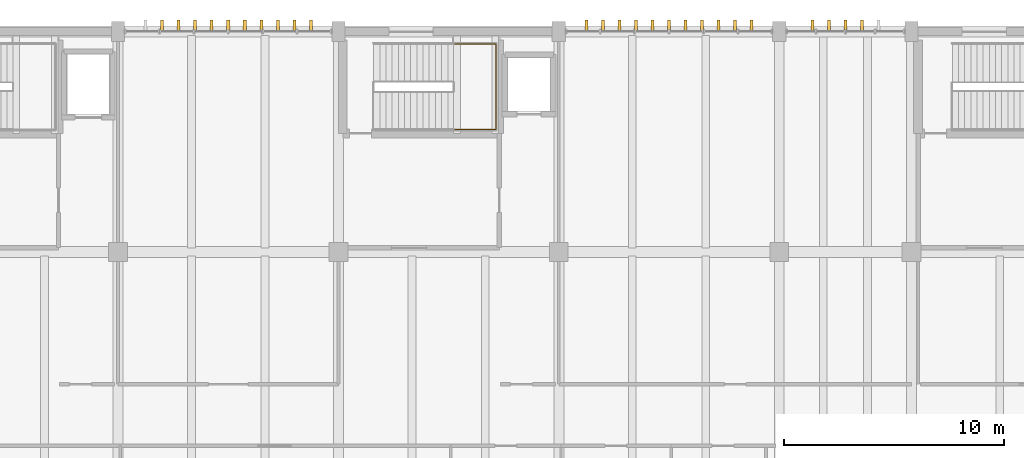
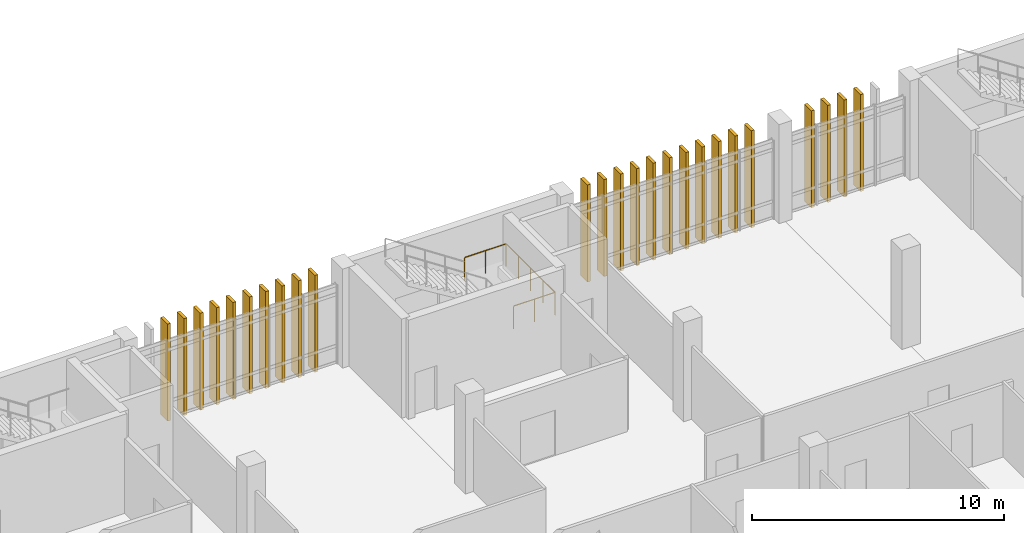
# One storey, part 84 of 87: 25 shading devices, 1 railing.
"""IFC4 building model written with IfcOpenShell, lengths in metres."""

from ifc_helpers import new_model, si_unit, direction, frame, origin, origin_2d, place, context, subcontext, project, spatial, rectangle, circle, extrude, material, type_object, element, save


model = new_model("IFC4")

# Units and contexts
model_context = context("Model", 3, precision=1e-05, world=origin(), true_north=direction((0.0, 1.0)))
body_context = subcontext(model_context, "Body", "Model", "MODEL_VIEW")
ifc_project = project(units=[si_unit("LENGTHUNIT", "METRE"), si_unit("AREAUNIT", "SQUARE_METRE"), si_unit("VOLUMEUNIT", "CUBIC_METRE"), si_unit("PLANEANGLEUNIT", "RADIAN"), si_unit("MASSUNIT", "GRAM", prefix="KILO")], contexts=[model_context])

# Site, building, storey
site_placement = place(None, origin())
site = spatial("IfcSite", under=ifc_project, at=site_placement, CompositionType="ELEMENT")
building_placement = place(site_placement, origin())
building = spatial("IfcBuilding", under=site, at=building_placement, Name="Mersad Railyard Sports Hall", CompositionType="ELEMENT")
storey_placement = place(building_placement, origin())
storey = spatial("IfcBuildingStorey", under=building, at=storey_placement, Name="L00", CompositionType="ELEMENT", Elevation=0.0)

# Railing
ifc_material_1 = material(Name="Steel S355", Category="steel")
railing_type = type_object("IfcRailingType", Name="ARC-RL-GR01", PredefinedType="GUARDRAIL", material=ifc_material_1)
railing_placement = place(storey_placement, frame((116.239990234375, 110.56005859375, 2.39990234375)))
element("IfcRailing", 1, at=railing_placement, inside=storey, type_object=railing_type, Name="Interior guard GR01-0069", PredefinedType="GUARDRAIL", context=body_context, shape_type="SweptSolid", body=[
    extrude(circle(Radius=0.02392578125, at=origin_2d()), frame((0.0, 0.0, 1.09619140625), z_axis=(1.0, 0.0, 0.0), x_axis=(0.0, 1.0, 0.0)), (0.0, 0.0, 1.0), 1.89990234375),
    extrude(circle(Radius=0.02392578125, at=origin_2d()), frame((1.89990234375, 0.0, 1.09619140625), z_axis=(0.0, 1.0, 0.0), x_axis=(-1.0, 0.0, 0.0)), (0.0, 0.0, 1.0), 3.8798828125),
    extrude(circle(Radius=0.02392578125, at=origin_2d()), frame((1.89990234375, 3.8798828125, 1.09619140625), z_axis=(-1.0, 0.0, 0.0), x_axis=(0.0, -1.0, 0.0)), (0.0, 0.0, 1.0), 1.89990234375),
    extrude(circle(Radius=0.02099609375, at=origin_2d()), origin(), (0.0, 0.0, 1.0), 1.072021484375),
    extrude(circle(Radius=0.02099609375, at=origin_2d()), frame((0.949951171875, 0.0, 0.0)), (0.0, 0.0, 1.0), 1.072021484375),
    extrude(circle(Radius=0.02099609375, at=origin_2d()), frame((1.89990234375, 0.0, 0.0)), (0.0, 0.0, 1.0), 1.072021484375),
    extrude(circle(Radius=0.02099609375, at=origin_2d()), frame((1.89990234375, 0.969970703125, 0.0)), (0.0, 0.0, 1.0), 1.072021484375),
    extrude(circle(Radius=0.02099609375, at=origin_2d()), frame((1.89990234375, 1.93994140625, 0.0)), (0.0, 0.0, 1.0), 1.072021484375),
    extrude(circle(Radius=0.02099609375, at=origin_2d()), frame((1.89990234375, 2.909912109375, 0.0)), (0.0, 0.0, 1.0), 1.072021484375),
    extrude(circle(Radius=0.02099609375, at=origin_2d()), frame((1.89990234375, 3.8798828125, 0.0)), (0.0, 0.0, 1.0), 1.072021484375),
    extrude(circle(Radius=0.02099609375, at=origin_2d()), frame((0.949951171875, 3.8798828125, 0.0)), (0.0, 0.0, 1.0), 1.072021484375),
    extrude(circle(Radius=0.02099609375, at=origin_2d()), frame((0.0, 3.8798828125, 0.0)), (0.0, 0.0, 1.0), 1.072021484375),
])

# Shading devices
ifc_material_2 = material(Name="Precast concrete C45/55", Category="concrete")
shading_device_type = type_object("IfcShadingDeviceType", Name="ARC-SH-FN01", PredefinedType="USERDEFINED", material=ifc_material_2)
for number, where, z_axis, x_axis, name in (
    (2, (103.0, 115.25, -0.10009765625), (0.0, 0.0, 1.0), (1.0, 0.0, 0.0), "Precast sun fin FN01-0028"),
    (3, (103.75, 115.25, -0.10009765625), (0.0, 0.0, 1.0), (1.0, 0.0, 0.0), "Precast sun fin FN01-0029"),
    (4, (104.5, 115.25, -0.10009765625), (0.0, 0.0, 1.0), (1.0, 0.0, 0.0), "Precast sun fin FN01-0030"),
    (5, (105.25, 115.25, -0.10009765625), (0.0, 0.0, 1.0), (1.0, 0.0, 0.0), "Precast sun fin FN01-0031"),
    (6, (106.0, 115.25, -0.10009765625), (0.0, 0.0, 1.0), (1.0, 0.0, 0.0), "Precast sun fin FN01-0032"),
    (7, (106.75, 115.25, -0.10009765625), (0.0, 0.0, 1.0), (1.0, 0.0, 0.0), "Precast sun fin FN01-0033"),
    (8, (107.5, 115.25, -0.10009765625), (0.0, 0.0, 1.0), (1.0, 0.0, 0.0), "Precast sun fin FN01-0034"),
    (9, (108.25, 115.25, -0.10009765625), (0.0, 0.0, 1.0), (1.0, 0.0, 0.0), "Precast sun fin FN01-0035"),
    (10, (109.0, 115.25, -0.10009765625), (0.0, 0.0, 1.0), (1.0, 0.0, 0.0), "Precast sun fin FN01-0036"),
    (11, (109.75, 115.25, -0.10009765625), (0.0, 0.0, 1.0), (1.0, 0.0, 0.0), "Precast sun fin FN01-0037"),
    (12, (122.25, 115.25, -0.10009765625), (0.0, 0.0, 1.0), (1.0, 0.0, 0.0), "Precast sun fin FN01-0038"),
    (13, (123.0, 115.25, -0.10009765625), (0.0, 0.0, 1.0), (1.0, 0.0, 0.0), "Precast sun fin FN01-0039"),
    (14, (123.75, 115.25, -0.10009765625), (0.0, 0.0, 1.0), (1.0, 0.0, 0.0), "Precast sun fin FN01-0040"),
    (15, (124.5, 115.25, -0.10009765625), (0.0, 0.0, 1.0), (1.0, 0.0, 0.0), "Precast sun fin FN01-0041"),
    (16, (125.25, 115.25, -0.10009765625), (0.0, 0.0, 1.0), (1.0, 0.0, 0.0), "Precast sun fin FN01-0042"),
    (17, (126.0, 115.25, -0.10009765625), (0.0, 0.0, 1.0), (1.0, 0.0, 0.0), "Precast sun fin FN01-0043"),
    (18, (126.75, 115.25, -0.10009765625), (0.0, 0.0, 1.0), (1.0, 0.0, 0.0), "Precast sun fin FN01-0044"),
    (19, (127.5, 115.25, -0.10009765625), (0.0, 0.0, 1.0), (1.0, 0.0, 0.0), "Precast sun fin FN01-0045"),
    (20, (128.25, 115.25, -0.10009765625), (0.0, 0.0, 1.0), (1.0, 0.0, 0.0), "Precast sun fin FN01-0046"),
    (21, (129.0, 115.25, -0.10009765625), (0.0, 0.0, 1.0), (1.0, 0.0, 0.0), "Precast sun fin FN01-0047"),
    (22, (129.75, 115.25, -0.10009765625), (0.0, 0.0, 1.0), (1.0, 0.0, 0.0), "Precast sun fin FN01-0048"),
    (23, (132.5, 115.25, -0.10009765625), (0.0, 0.0, 1.0), (1.0, 0.0, 0.0), "Precast sun fin FN01-0049"),
    (24, (133.25, 115.25, -0.10009765625), (0.0, 0.0, 1.0), (1.0, 0.0, 0.0), "Precast sun fin FN01-0050"),
    (25, (134.0, 115.25, -0.10009765625), (0.0, 0.0, 1.0), (1.0, 0.0, 0.0), "Precast sun fin FN01-0051"),
    (26, (134.75, 115.25, -0.10009765625), (0.0, 0.0, 1.0), (1.0, 0.0, 0.0), "Precast sun fin FN01-0052"),
):
    element("IfcShadingDevice", number, at=place(storey_placement, frame(where, z_axis=z_axis, x_axis=x_axis)), inside=storey, type_object=shading_device_type, Name=name, ObjectType="FIN", PredefinedType="USERDEFINED", context=body_context, shape_type="SweptSolid", body=[
        extrude(rectangle(XDim=0.139892578125, YDim=0.550048828125, at=origin_2d()), origin(), (0.0, 0.0, 1.0), 4.699951171875),
    ])

save(model, "model.ifc")
